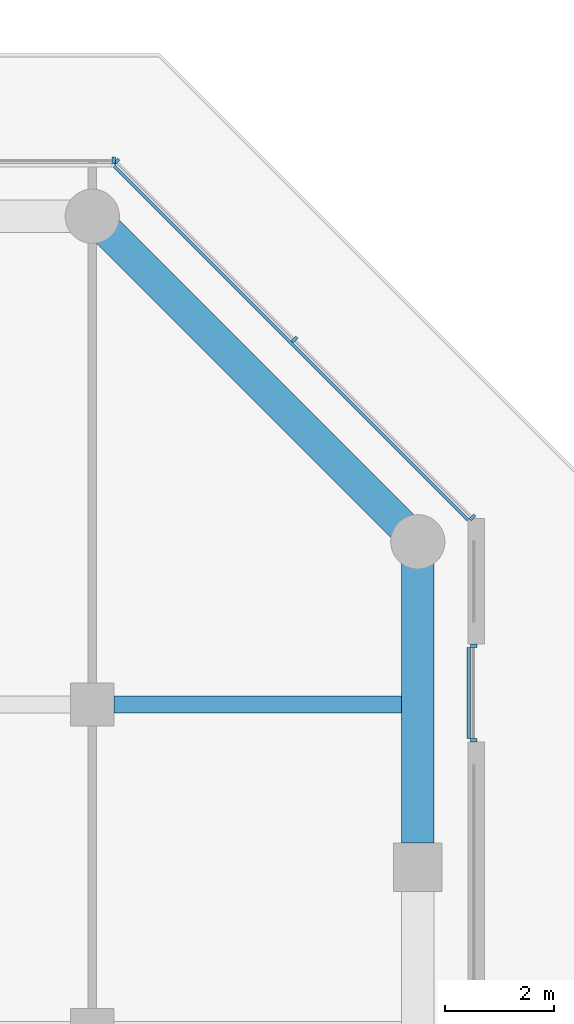
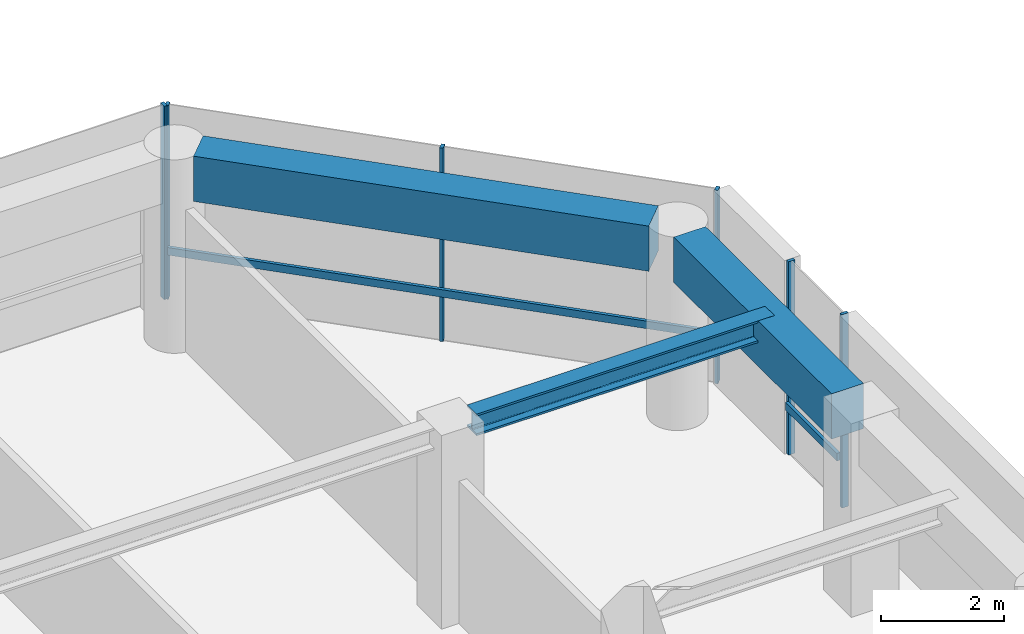
# One storey, part 9 of 23: 8 members, 3 beams, 3 elements without a shape of their own.
"""IFC4 building model written with IfcOpenShell, lengths in metres."""

from ifc_helpers import new_model, si_unit, direction, frame, origin, origin_2d, place, context, subcontext, project, spatial, rectangle, i_section, extrude, material, layer, layer_set, material_profile, profile_set, type_object, element, aggregate, save


model = new_model("IFC4")

# Units and contexts
model_context = context("Model", 3, precision=1e-05, world=origin(), true_north=direction((0.0, 1.0)))
body_context = subcontext(model_context, "Body", "Model", "MODEL_VIEW")
ifc_project = project(units=[si_unit("LENGTHUNIT", "METRE"), si_unit("AREAUNIT", "SQUARE_METRE"), si_unit("VOLUMEUNIT", "CUBIC_METRE"), si_unit("PLANEANGLEUNIT", "RADIAN"), si_unit("MASSUNIT", "GRAM", prefix="KILO")], contexts=[model_context])

# Site, building, storey
site_placement = place(None, origin())
site = spatial("IfcSite", under=ifc_project, at=site_placement, CompositionType="ELEMENT")
building_placement = place(site_placement, origin())
building = spatial("IfcBuilding", under=site, at=building_placement, Name="Welwitschia Terrace Campus", CompositionType="ELEMENT")
storey_placement = place(building_placement, frame((0.0, 0.0, 113.0)))
storey = spatial("IfcBuildingStorey", under=building, at=storey_placement, Name="L25", CompositionType="ELEMENT", Elevation=113.0)

# Beam
ifc_material_1 = material(Name="Steel S355", Category="steel")
ifc_material_profile_1 = material_profile(ifc_material_1, i_section(OverallWidth=0.306884765625, OverallDepth=0.431884765625, WebThickness=0.02099609375, FlangeThickness=0.0400390625, FilletRadius=0.027099609375, at=origin_2d()))
ifc_profile_set_1 = profile_set([ifc_material_profile_1], Name="Steel S355")
beam_type_1 = type_object("IfcBeamType", Name="Interior girder HE 400 M", PredefinedType="BEAM", material=ifc_profile_set_1)
beam_1_placement = place(storey_placement, frame((48.400390625, 19.0, 3.634033203125), z_axis=(1.0, 0.0, 0.0), x_axis=(0.0, 1.0, 0.0)))
element("IfcBeam", 1, at=beam_1_placement, inside=storey, type_object=beam_type_1, Name="Girder GB3", PredefinedType="BEAM", context=body_context, shape_type="SweptSolid", body=[
    extrude(i_section(OverallWidth=0.306884765625, OverallDepth=0.431884765625, WebThickness=0.02099609375, FlangeThickness=0.0400390625, FilletRadius=0.027099609375, at=origin_2d()), origin(), (0.0, 0.0, 1.0), 5.609619140625),
])

# Curtain wall, members
ifc_material_2 = material(Name="Bronze anodised aluminium", Category="aluminium")
ifc_layer = layer(ifc_material_2, 0.1201171875)
ifc_layer_set = layer_set([ifc_layer], Name="Bronze anodised aluminium")
curtain_wall_type = type_object("IfcCurtainWallType", Name="Curtain wall CW2 tower 6000", PredefinedType="NOTDEFINED", material=ifc_layer_set)
curtain_wall_1_placement = place(storey_placement, origin())
curtain_wall_1 = element("IfcCurtainWall", 2, at=curtain_wall_1_placement, inside=storey, type_object=curtain_wall_type, Name="CW L25.7.S0", PredefinedType="NOTDEFINED")
ifc_material_3 = material(Name="Bronze anodised aluminium", Category="aluminium")
ifc_material_profile_2 = material_profile(ifc_material_3, rectangle(XDim=0.1201171875, YDim=0.06005859375, at=origin_2d()))
ifc_profile_set_2 = profile_set([ifc_material_profile_2], Name="Bronze anodised aluminium")
member_type_1 = type_object("IfcMemberType", Name="Mullion 60x120", PredefinedType="MULLION", material=ifc_profile_set_2)
member_1_placement = place(storey_placement, frame((55.030029296875, 18.34326171875, 0.0), z_axis=(0.0, 0.0, 1.0), x_axis=(-1.0, 0.0, 0.0)))
member_1 = element("IfcMember", 3, at=member_1_placement, type_object=member_type_1, Name="Mullion L25.7.S0.0", PredefinedType="MULLION", context=body_context, shape_type="SweptSolid", body=[
    extrude(rectangle(XDim=0.1201171875, YDim=0.06005859375, at=origin_2d()), origin(), (0.0, 0.0, 1.0), 3.85009765625),
])
member_2_placement = place(storey_placement, frame((55.030029296875, 20.083251953125, 0.0), z_axis=(0.0, 0.0, 1.0), x_axis=(-1.0, 0.0, 0.0)))
member_2 = element("IfcMember", 4, at=member_2_placement, type_object=member_type_1, Name="Mullion L25.7.S0.1", PredefinedType="MULLION", context=body_context, shape_type="SweptSolid", body=[
    extrude(rectangle(XDim=0.1201171875, YDim=0.06005859375, at=origin_2d()), origin(), (0.0, 0.0, 1.0), 3.85009765625),
])

curtain_wall_2_placement = place(storey_placement, origin())
curtain_wall_2 = element("IfcCurtainWall", 5, at=curtain_wall_2_placement, inside=storey, type_object=curtain_wall_type, Name="CW L25.8.0", PredefinedType="NOTDEFINED")
member_3_placement = place(storey_placement, frame((55.0087890625, 22.44775390625, 0.0), z_axis=(0.0, 0.0, 1.0), x_axis=(-0.707106781187, -0.707106781187, 0.0)))
member_3 = element("IfcMember", 6, at=member_3_placement, type_object=member_type_1, Name="Mullion L25.8.0.0", PredefinedType="MULLION", context=body_context, shape_type="SweptSolid", body=[
    extrude(rectangle(XDim=0.1201171875, YDim=0.06005859375, at=origin_2d()), origin(), (0.0, 0.0, 1.0), 3.85009765625),
])
member_4_placement = place(storey_placement, frame((51.728271484375, 25.728271484375, 0.0), z_axis=(0.0, 0.0, 1.0), x_axis=(-0.707106781187, -0.707106781187, 0.0)))
member_4 = element("IfcMember", 7, at=member_4_placement, type_object=member_type_1, Name="Mullion L25.8.0.1", PredefinedType="MULLION", context=body_context, shape_type="SweptSolid", body=[
    extrude(rectangle(XDim=0.1201171875, YDim=0.06005859375, at=origin_2d()), origin(), (0.0, 0.0, 1.0), 3.85009765625),
])
member_5_placement = place(storey_placement, frame((48.44775390625, 29.0087890625, 0.0), z_axis=(0.0, 0.0, 1.0), x_axis=(-0.707106781187, -0.707106781187, 0.0)))
member_5 = element("IfcMember", 8, at=member_5_placement, type_object=member_type_1, Name="Mullion L25.8.0.2", PredefinedType="MULLION", context=body_context, shape_type="SweptSolid", body=[
    extrude(rectangle(XDim=0.1201171875, YDim=0.06005859375, at=origin_2d()), origin(), (0.0, 0.0, 1.0), 3.85009765625),
])

# Curtain wall, member
curtain_wall_3_placement = place(storey_placement, origin())
curtain_wall_3 = element("IfcCurtainWall", 9, at=curtain_wall_3_placement, inside=storey, type_object=curtain_wall_type, Name="CW L25.9.0", PredefinedType="NOTDEFINED")
member_6_placement = place(storey_placement, frame((48.396728515625, 29.030029296875, 0.0), z_axis=(0.0, 0.0, 1.0), x_axis=(0.0, -1.0, 0.0)))
member_6 = element("IfcMember", 10, at=member_6_placement, type_object=member_type_1, Name="Mullion L25.9.0.0", PredefinedType="MULLION", context=body_context, shape_type="SweptSolid", body=[
    extrude(rectangle(XDim=0.1201171875, YDim=0.06005859375, at=origin_2d()), origin(), (0.0, 0.0, 1.0), 3.85009765625),
])
aggregate(curtain_wall_3, [member_6])

# Beams
ifc_material_4 = material(Name="Concrete C60/75", Category="concrete")
ifc_material_profile_3 = material_profile(ifc_material_4, rectangle(XDim=0.60009765625, YDim=0.89990234375, at=origin_2d()))
ifc_profile_set_3 = profile_set([ifc_material_profile_3], Name="Concrete C60/75")
beam_type_2 = type_object("IfcBeamType", Name="Ring spandrel 600x900", PredefinedType="SPANDREL", material=ifc_profile_set_3)
beam_2_placement = place(storey_placement, frame((54.0, 16.450439453125, 3.39990234375), z_axis=(0.0, 1.0, 0.0), x_axis=(-1.0, 0.0, 0.0)))
element("IfcBeam", 11, at=beam_2_placement, inside=storey, type_object=beam_type_2, Name="Spandrel SP2", PredefinedType="SPANDREL", context=body_context, shape_type="SweptSolid", body=[
    extrude(rectangle(XDim=0.60009765625, YDim=0.89990234375, at=origin_2d()), origin(), (0.0, 0.0, 1.0), 5.149169921875),
])
beam_3_placement = place(storey_placement, frame((53.716796875, 22.283203125, 3.39990234375), z_axis=(-0.707106781187, 0.707106781187, 0.0), x_axis=(-0.707106781187, -0.707106781187, 0.0)))
element("IfcBeam", 12, at=beam_3_placement, inside=storey, type_object=beam_type_2, Name="Spandrel SP2", PredefinedType="SPANDREL", context=body_context, shape_type="SweptSolid", body=[
    extrude(rectangle(XDim=0.60009765625, YDim=0.89990234375, at=origin_2d()), origin(), (0.0, 0.0, 1.0), 7.684326171875),
])

# Member
ifc_material_5 = material(Name="Bronze anodised aluminium", Category="aluminium")
ifc_material_profile_4 = material_profile(ifc_material_5, rectangle(XDim=0.06005859375, YDim=0.14990234375, at=origin_2d()))
ifc_profile_set_4 = profile_set([ifc_material_profile_4], Name="Bronze anodised aluminium")
member_type_2 = type_object("IfcMemberType", Name="Transom 60x150", PredefinedType="USERDEFINED", material=ifc_profile_set_4)
member_7_placement = place(storey_placement, frame((54.93994140625, 18.373291015625, 1.0), z_axis=(0.0, 1.0, 0.0), x_axis=(-1.0, 0.0, 0.0)))
member_7 = element("IfcMember", 13, at=member_7_placement, type_object=member_type_2, Name="Transom L25.7.S0", ObjectType="TRANSOM", PredefinedType="USERDEFINED", context=body_context, shape_type="SweptSolid", body=[
    extrude(rectangle(XDim=0.06005859375, YDim=0.14990234375, at=origin_2d()), origin(), (0.0, 0.0, 1.0), 1.679931640625),
])

aggregate(curtain_wall_1, [member_1, member_2, member_7])

member_8_placement = place(storey_placement, frame((54.923828125, 22.405517578125, 1.0), z_axis=(-0.707106781187, 0.707106781187, 0.0), x_axis=(-0.707106781187, -0.707106781187, 0.0)))
member_8 = element("IfcMember", 14, at=member_8_placement, type_object=member_type_2, Name="Transom L25.8.0", ObjectType="TRANSOM", PredefinedType="USERDEFINED", context=body_context, shape_type="SweptSolid", body=[
    extrude(rectangle(XDim=0.06005859375, YDim=0.14990234375, at=origin_2d()), origin(), (0.0, 0.0, 1.0), 9.21826171875),
])

aggregate(curtain_wall_2, [member_3, member_4, member_5, member_8])

save(model, "model.ifc")
